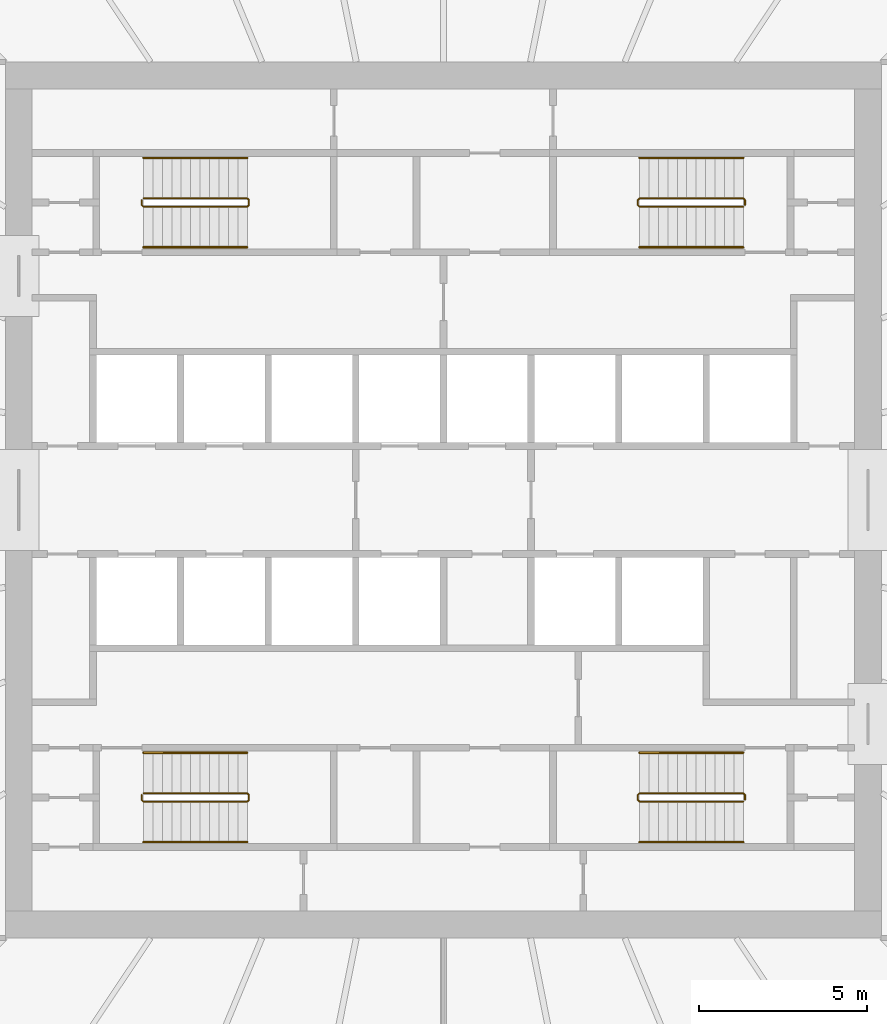
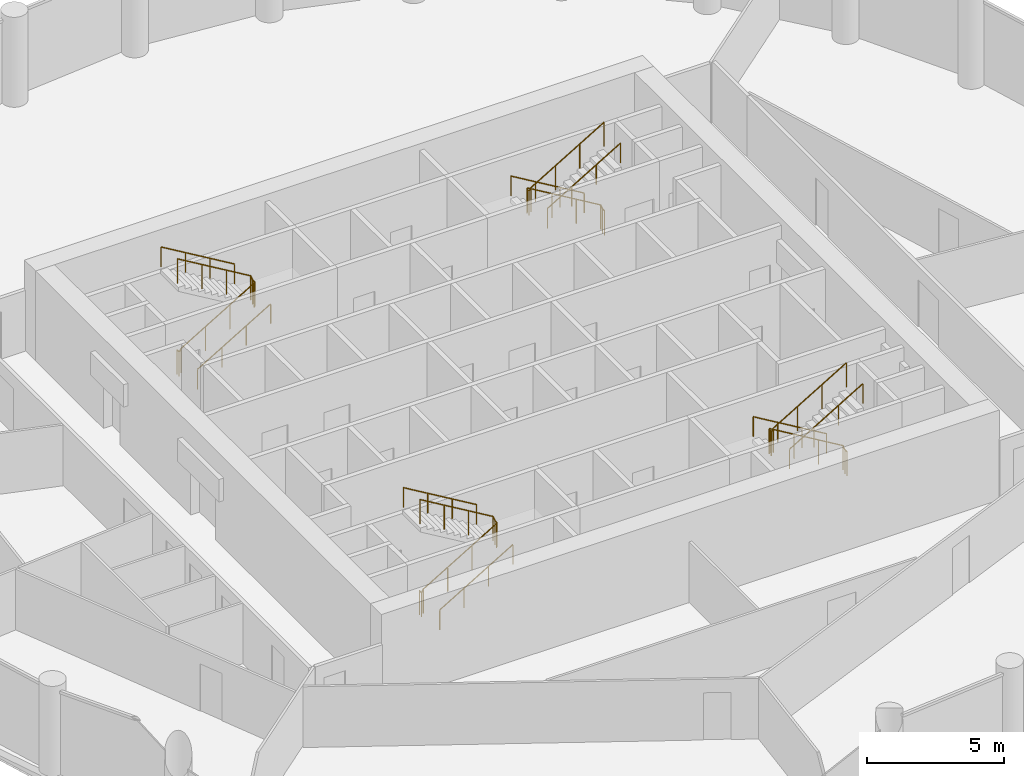
# One storey, part 9 of 9: 12 railings.
"""IFC4 building model written with IfcOpenShell, lengths in metres."""

from ifc_helpers import new_model, si_unit, direction, frame, origin, origin_2d, place, context, subcontext, project, spatial, circle, extrude, material, type_object, element, save


model = new_model("IFC4")

# Units and contexts
model_context = context("Model", 3, precision=1e-05, world=origin(), true_north=direction((0.0, 1.0)))
body_context = subcontext(model_context, "Body", "Model", "MODEL_VIEW")
ifc_project = project(units=[si_unit("LENGTHUNIT", "METRE"), si_unit("AREAUNIT", "SQUARE_METRE"), si_unit("VOLUMEUNIT", "CUBIC_METRE"), si_unit("PLANEANGLEUNIT", "RADIAN"), si_unit("MASSUNIT", "GRAM", prefix="KILO")], contexts=[model_context])

# Site, building, storey
site_placement = place(None, origin())
site = spatial("IfcSite", under=ifc_project, at=site_placement, CompositionType="ELEMENT")
building_placement = place(site_placement, origin())
building = spatial("IfcBuilding", under=site, at=building_placement, Name="Corvane Civic Tower", CompositionType="ELEMENT")
storey_placement = place(building_placement, frame((0.0, 0.0, 221.5)))
storey = spatial("IfcBuildingStorey", under=building, at=storey_placement, Name="L52", CompositionType="ELEMENT", Elevation=221.5)

# Railings
ifc_material_1 = material(Name="Steel ASTM A572 Gr 50", Category="steel")
railing_type_1 = type_object("IfcRailingType", Name="ST-GUARD-1100", PredefinedType="GUARDRAIL", material=ifc_material_1)
railing_1_placement = place(storey_placement, frame((8.949951171875, 8.75, 0.0)))
element("IfcRailing", 1, at=railing_1_placement, inside=storey, type_object=railing_type_1, Name="L52 ST1 stair guard 1", PredefinedType="GUARDRAIL", context=body_context, shape_type="SweptSolid", body=[
    extrude(circle(Radius=0.02392578125, at=origin_2d()), frame((0.0, 0.0, 1.076171875), z_axis=(0.0, 1.0, 0.0), x_axis=(-1.0, 0.0, 0.0)), (0.0, 0.0, 1.0), 0.14990234375),
    extrude(circle(Radius=0.02392578125, at=origin_2d()), frame((0.0, 0.14990234375, 1.076171875), z_axis=(-0.27628659633, 0.27628659633, 0.920506074601), x_axis=(-0.707106781187, -0.707106781187, 0.0)), (0.0, 0.0, 1.0), 0.18115234375),
    extrude(circle(Radius=0.02392578125, at=origin_2d()), frame((-0.050048828125, 0.199951171875, 1.24267578125), z_axis=(-0.859290745958, 0.0, 0.51148745235), x_axis=(0.0, -1.0, 0.0)), (0.0, 0.0, 1.0), 3.584228515625),
    extrude(circle(Radius=0.02392578125, at=origin_2d()), frame((-3.1298828125, 0.199951171875, 3.076171875), z_axis=(-0.707106781187, -0.707106781187, 0.0), x_axis=(0.707106781187, -0.707106781187, 0.0)), (0.0, 0.0, 1.0), 0.07080078125),
    extrude(circle(Radius=0.02392578125, at=origin_2d()), frame((-3.179931640625, 0.14990234375, 3.076171875), z_axis=(0.0, -1.0, 0.0), x_axis=(1.0, 0.0, 0.0)), (0.0, 0.0, 1.0), 0.14990234375),
    extrude(circle(Radius=0.02392578125, at=origin_2d()), frame((-3.179931640625, 0.0, 3.076171875), z_axis=(0.27628659633, -0.27628659633, 0.920506074601), x_axis=(0.707106781187, 0.707106781187, 0.0)), (0.0, 0.0, 1.0), 0.18115234375),
    extrude(circle(Radius=0.02392578125, at=origin_2d()), frame((-3.1298828125, -0.050048828125, 3.24267578125), z_axis=(0.859290745958, 0.0, 0.51148745235), x_axis=(0.0, 1.0, 0.0)), (0.0, 0.0, 1.0), 3.584228515625),
    extrude(circle(Radius=0.02099609375, at=origin_2d()), origin(), (0.0, 0.0, 1.0), 1.052001953125),
    extrude(circle(Radius=0.02099609375, at=origin_2d()), frame((0.0, 0.14990234375, 0.0)), (0.0, 0.0, 1.0), 1.052001953125),
    extrude(circle(Radius=0.02099609375, at=origin_2d()), frame((-0.050048828125, 0.199951171875, 0.166748046875)), (0.0, 0.0, 1.0), 1.052001953125),
    extrude(circle(Radius=0.02099609375, at=origin_2d()), frame((-1.07666015625, 0.199951171875, 0.77783203125)), (0.0, 0.0, 1.0), 1.052001953125),
    extrude(circle(Radius=0.02099609375, at=origin_2d()), frame((-2.103271484375, 0.199951171875, 1.388916015625)), (0.0, 0.0, 1.0), 1.052001953125),
    extrude(circle(Radius=0.02099609375, at=origin_2d()), frame((-3.1298828125, 0.199951171875, 2.0)), (0.0, 0.0, 1.0), 1.052001953125),
    extrude(circle(Radius=0.02099609375, at=origin_2d()), frame((-3.179931640625, 0.14990234375, 2.0)), (0.0, 0.0, 1.0), 1.052001953125),
    extrude(circle(Radius=0.02099609375, at=origin_2d()), frame((-3.179931640625, 0.0, 2.0)), (0.0, 0.0, 1.0), 1.052001953125),
    extrude(circle(Radius=0.02099609375, at=origin_2d()), frame((-3.1298828125, -0.050048828125, 2.166748046875)), (0.0, 0.0, 1.0), 1.052001953125),
    extrude(circle(Radius=0.02099609375, at=origin_2d()), frame((-2.103271484375, -0.050048828125, 2.77783203125)), (0.0, 0.0, 1.0), 1.052001953125),
    extrude(circle(Radius=0.02099609375, at=origin_2d()), frame((-1.07666015625, -0.050048828125, 3.388916015625)), (0.0, 0.0, 1.0), 1.052001953125),
    extrude(circle(Radius=0.02099609375, at=origin_2d()), frame((-0.050048828125, -0.050048828125, 4.0)), (0.0, 0.0, 1.0), 1.052001953125),
])
railing_2_placement = place(storey_placement, frame((8.949951171875, -8.89990234375, 0.0)))
element("IfcRailing", 2, at=railing_2_placement, inside=storey, type_object=railing_type_1, Name="L52 ST2 stair guard 1", PredefinedType="GUARDRAIL", context=body_context, shape_type="SweptSolid", body=[
    extrude(circle(Radius=0.02392578125, at=origin_2d()), frame((0.0, 0.0, 1.076171875), z_axis=(0.0, 1.0, 0.0), x_axis=(-1.0, 0.0, 0.0)), (0.0, 0.0, 1.0), 0.14990234375),
    extrude(circle(Radius=0.02392578125, at=origin_2d()), frame((0.0, 0.14990234375, 1.076171875), z_axis=(-0.27628659633, 0.27628659633, 0.920506074601), x_axis=(-0.707106781187, -0.707106781187, 0.0)), (0.0, 0.0, 1.0), 0.18115234375),
    extrude(circle(Radius=0.02392578125, at=origin_2d()), frame((-0.050048828125, 0.199951171875, 1.24267578125), z_axis=(-0.859290745958, 0.0, 0.51148745235), x_axis=(0.0, -1.0, 0.0)), (0.0, 0.0, 1.0), 3.584228515625),
    extrude(circle(Radius=0.02392578125, at=origin_2d()), frame((-3.1298828125, 0.199951171875, 3.076171875), z_axis=(-0.707106781187, -0.707106781187, 0.0), x_axis=(0.707106781187, -0.707106781187, 0.0)), (0.0, 0.0, 1.0), 0.07080078125),
    extrude(circle(Radius=0.02392578125, at=origin_2d()), frame((-3.179931640625, 0.14990234375, 3.076171875), z_axis=(0.0, -1.0, 0.0), x_axis=(1.0, 0.0, 0.0)), (0.0, 0.0, 1.0), 0.14990234375),
    extrude(circle(Radius=0.02392578125, at=origin_2d()), frame((-3.179931640625, 0.0, 3.076171875), z_axis=(0.27628659633, -0.27628659633, 0.920506074601), x_axis=(0.707106781187, 0.707106781187, 0.0)), (0.0, 0.0, 1.0), 0.18115234375),
    extrude(circle(Radius=0.02392578125, at=origin_2d()), frame((-3.1298828125, -0.050048828125, 3.24267578125), z_axis=(0.859290745958, 0.0, 0.51148745235), x_axis=(0.0, 1.0, 0.0)), (0.0, 0.0, 1.0), 3.584228515625),
    extrude(circle(Radius=0.02099609375, at=origin_2d()), origin(), (0.0, 0.0, 1.0), 1.052001953125),
    extrude(circle(Radius=0.02099609375, at=origin_2d()), frame((0.0, 0.14990234375, 0.0)), (0.0, 0.0, 1.0), 1.052001953125),
    extrude(circle(Radius=0.02099609375, at=origin_2d()), frame((-0.050048828125, 0.199951171875, 0.166748046875)), (0.0, 0.0, 1.0), 1.052001953125),
    extrude(circle(Radius=0.02099609375, at=origin_2d()), frame((-1.07666015625, 0.199951171875, 0.77783203125)), (0.0, 0.0, 1.0), 1.052001953125),
    extrude(circle(Radius=0.02099609375, at=origin_2d()), frame((-2.103271484375, 0.199951171875, 1.388916015625)), (0.0, 0.0, 1.0), 1.052001953125),
    extrude(circle(Radius=0.02099609375, at=origin_2d()), frame((-3.1298828125, 0.199951171875, 2.0)), (0.0, 0.0, 1.0), 1.052001953125),
    extrude(circle(Radius=0.02099609375, at=origin_2d()), frame((-3.179931640625, 0.14990234375, 2.0)), (0.0, 0.0, 1.0), 1.052001953125),
    extrude(circle(Radius=0.02099609375, at=origin_2d()), frame((-3.179931640625, 0.0, 2.0)), (0.0, 0.0, 1.0), 1.052001953125),
    extrude(circle(Radius=0.02099609375, at=origin_2d()), frame((-3.1298828125, -0.050048828125, 2.166748046875)), (0.0, 0.0, 1.0), 1.052001953125),
    extrude(circle(Radius=0.02099609375, at=origin_2d()), frame((-2.103271484375, -0.050048828125, 2.77783203125)), (0.0, 0.0, 1.0), 1.052001953125),
    extrude(circle(Radius=0.02099609375, at=origin_2d()), frame((-1.07666015625, -0.050048828125, 3.388916015625)), (0.0, 0.0, 1.0), 1.052001953125),
    extrude(circle(Radius=0.02099609375, at=origin_2d()), frame((-0.050048828125, -0.050048828125, 4.0)), (0.0, 0.0, 1.0), 1.052001953125),
])
railing_3_placement = place(storey_placement, frame((-8.949951171875, -8.75, 0.0)))
element("IfcRailing", 3, at=railing_3_placement, inside=storey, type_object=railing_type_1, Name="L52 ST3 stair guard 1", PredefinedType="GUARDRAIL", context=body_context, shape_type="SweptSolid", body=[
    extrude(circle(Radius=0.02392578125, at=origin_2d()), frame((0.0, 0.0, 1.076171875), z_axis=(0.0, -1.0, 0.0), x_axis=(1.0, 0.0, 0.0)), (0.0, 0.0, 1.0), 0.14990234375),
    extrude(circle(Radius=0.02392578125, at=origin_2d()), frame((0.0, -0.14990234375, 1.076171875), z_axis=(0.27628659633, -0.27628659633, 0.920506074601), x_axis=(0.707106781187, 0.707106781187, 0.0)), (0.0, 0.0, 1.0), 0.18115234375),
    extrude(circle(Radius=0.02392578125, at=origin_2d()), frame((0.050048828125, -0.199951171875, 1.24267578125), z_axis=(0.859290745958, 0.0, 0.51148745235), x_axis=(0.0, 1.0, 0.0)), (0.0, 0.0, 1.0), 3.584228515625),
    extrude(circle(Radius=0.02392578125, at=origin_2d()), frame((3.1298828125, -0.199951171875, 3.076171875), z_axis=(0.707106781187, 0.707106781187, 0.0), x_axis=(-0.707106781187, 0.707106781187, 0.0)), (0.0, 0.0, 1.0), 0.07080078125),
    extrude(circle(Radius=0.02392578125, at=origin_2d()), frame((3.179931640625, -0.14990234375, 3.076171875), z_axis=(0.0, 1.0, 0.0), x_axis=(-1.0, 0.0, 0.0)), (0.0, 0.0, 1.0), 0.14990234375),
    extrude(circle(Radius=0.02392578125, at=origin_2d()), frame((3.179931640625, 0.0, 3.076171875), z_axis=(-0.27628659633, 0.27628659633, 0.920506074601), x_axis=(-0.707106781187, -0.707106781187, 0.0)), (0.0, 0.0, 1.0), 0.18115234375),
    extrude(circle(Radius=0.02392578125, at=origin_2d()), frame((3.1298828125, 0.050048828125, 3.24267578125), z_axis=(-0.859290745958, 0.0, 0.51148745235), x_axis=(0.0, -1.0, 0.0)), (0.0, 0.0, 1.0), 3.584228515625),
    extrude(circle(Radius=0.02099609375, at=origin_2d()), origin(), (0.0, 0.0, 1.0), 1.052001953125),
    extrude(circle(Radius=0.02099609375, at=origin_2d()), frame((0.0, -0.14990234375, 0.0)), (0.0, 0.0, 1.0), 1.052001953125),
    extrude(circle(Radius=0.02099609375, at=origin_2d()), frame((0.050048828125, -0.199951171875, 0.166748046875)), (0.0, 0.0, 1.0), 1.052001953125),
    extrude(circle(Radius=0.02099609375, at=origin_2d()), frame((1.07666015625, -0.199951171875, 0.77783203125)), (0.0, 0.0, 1.0), 1.052001953125),
    extrude(circle(Radius=0.02099609375, at=origin_2d()), frame((2.103271484375, -0.199951171875, 1.388916015625)), (0.0, 0.0, 1.0), 1.052001953125),
    extrude(circle(Radius=0.02099609375, at=origin_2d()), frame((3.1298828125, -0.199951171875, 2.0)), (0.0, 0.0, 1.0), 1.052001953125),
    extrude(circle(Radius=0.02099609375, at=origin_2d()), frame((3.179931640625, -0.14990234375, 2.0)), (0.0, 0.0, 1.0), 1.052001953125),
    extrude(circle(Radius=0.02099609375, at=origin_2d()), frame((3.179931640625, 0.0, 2.0)), (0.0, 0.0, 1.0), 1.052001953125),
    extrude(circle(Radius=0.02099609375, at=origin_2d()), frame((3.1298828125, 0.050048828125, 2.166748046875)), (0.0, 0.0, 1.0), 1.052001953125),
    extrude(circle(Radius=0.02099609375, at=origin_2d()), frame((2.103271484375, 0.050048828125, 2.77783203125)), (0.0, 0.0, 1.0), 1.052001953125),
    extrude(circle(Radius=0.02099609375, at=origin_2d()), frame((1.07666015625, 0.050048828125, 3.388916015625)), (0.0, 0.0, 1.0), 1.052001953125),
    extrude(circle(Radius=0.02099609375, at=origin_2d()), frame((0.050048828125, 0.050048828125, 4.0)), (0.0, 0.0, 1.0), 1.052001953125),
])
railing_4_placement = place(storey_placement, frame((-8.949951171875, 8.89990234375, 0.0)))
element("IfcRailing", 4, at=railing_4_placement, inside=storey, type_object=railing_type_1, Name="L52 ST4 stair guard 1", PredefinedType="GUARDRAIL", context=body_context, shape_type="SweptSolid", body=[
    extrude(circle(Radius=0.02392578125, at=origin_2d()), frame((0.0, 0.0, 1.076171875), z_axis=(0.0, -1.0, 0.0), x_axis=(1.0, 0.0, 0.0)), (0.0, 0.0, 1.0), 0.14990234375),
    extrude(circle(Radius=0.02392578125, at=origin_2d()), frame((0.0, -0.14990234375, 1.076171875), z_axis=(0.27628659633, -0.27628659633, 0.920506074601), x_axis=(0.707106781187, 0.707106781187, 0.0)), (0.0, 0.0, 1.0), 0.18115234375),
    extrude(circle(Radius=0.02392578125, at=origin_2d()), frame((0.050048828125, -0.199951171875, 1.24267578125), z_axis=(0.859290745958, 0.0, 0.51148745235), x_axis=(0.0, 1.0, 0.0)), (0.0, 0.0, 1.0), 3.584228515625),
    extrude(circle(Radius=0.02392578125, at=origin_2d()), frame((3.1298828125, -0.199951171875, 3.076171875), z_axis=(0.707106781187, 0.707106781187, 0.0), x_axis=(-0.707106781187, 0.707106781187, 0.0)), (0.0, 0.0, 1.0), 0.07080078125),
    extrude(circle(Radius=0.02392578125, at=origin_2d()), frame((3.179931640625, -0.14990234375, 3.076171875), z_axis=(0.0, 1.0, 0.0), x_axis=(-1.0, 0.0, 0.0)), (0.0, 0.0, 1.0), 0.14990234375),
    extrude(circle(Radius=0.02392578125, at=origin_2d()), frame((3.179931640625, 0.0, 3.076171875), z_axis=(-0.27628659633, 0.27628659633, 0.920506074601), x_axis=(-0.707106781187, -0.707106781187, 0.0)), (0.0, 0.0, 1.0), 0.18115234375),
    extrude(circle(Radius=0.02392578125, at=origin_2d()), frame((3.1298828125, 0.050048828125, 3.24267578125), z_axis=(-0.859290745958, 0.0, 0.51148745235), x_axis=(0.0, -1.0, 0.0)), (0.0, 0.0, 1.0), 3.584228515625),
    extrude(circle(Radius=0.02099609375, at=origin_2d()), origin(), (0.0, 0.0, 1.0), 1.052001953125),
    extrude(circle(Radius=0.02099609375, at=origin_2d()), frame((0.0, -0.14990234375, 0.0)), (0.0, 0.0, 1.0), 1.052001953125),
    extrude(circle(Radius=0.02099609375, at=origin_2d()), frame((0.050048828125, -0.199951171875, 0.166748046875)), (0.0, 0.0, 1.0), 1.052001953125),
    extrude(circle(Radius=0.02099609375, at=origin_2d()), frame((1.07666015625, -0.199951171875, 0.77783203125)), (0.0, 0.0, 1.0), 1.052001953125),
    extrude(circle(Radius=0.02099609375, at=origin_2d()), frame((2.103271484375, -0.199951171875, 1.388916015625)), (0.0, 0.0, 1.0), 1.052001953125),
    extrude(circle(Radius=0.02099609375, at=origin_2d()), frame((3.1298828125, -0.199951171875, 2.0)), (0.0, 0.0, 1.0), 1.052001953125),
    extrude(circle(Radius=0.02099609375, at=origin_2d()), frame((3.179931640625, -0.14990234375, 2.0)), (0.0, 0.0, 1.0), 1.052001953125),
    extrude(circle(Radius=0.02099609375, at=origin_2d()), frame((3.179931640625, 0.0, 2.0)), (0.0, 0.0, 1.0), 1.052001953125),
    extrude(circle(Radius=0.02099609375, at=origin_2d()), frame((3.1298828125, 0.050048828125, 2.166748046875)), (0.0, 0.0, 1.0), 1.052001953125),
    extrude(circle(Radius=0.02099609375, at=origin_2d()), frame((2.103271484375, 0.050048828125, 2.77783203125)), (0.0, 0.0, 1.0), 1.052001953125),
    extrude(circle(Radius=0.02099609375, at=origin_2d()), frame((1.07666015625, 0.050048828125, 3.388916015625)), (0.0, 0.0, 1.0), 1.052001953125),
    extrude(circle(Radius=0.02099609375, at=origin_2d()), frame((0.050048828125, 0.050048828125, 4.0)), (0.0, 0.0, 1.0), 1.052001953125),
])
ifc_material_2 = material(Name="Steel ASTM A572 Gr 50", Category="steel")
railing_type_2 = type_object("IfcRailingType", Name="ST-HANDRAIL-900", PredefinedType="HANDRAIL", material=ifc_material_2)
railing_5_placement = place(storey_placement, frame((8.89990234375, 10.14990234375, 0.166748046875)))
element("IfcRailing", 5, at=railing_5_placement, inside=storey, type_object=railing_type_2, Name="L52 ST1 stair handrail 1", PredefinedType="HANDRAIL", context=body_context, shape_type="SweptSolid", body=[
    extrude(circle(Radius=0.02392578125, at=origin_2d()), frame((0.0, 0.0, 0.8759765625), z_axis=(-0.859290745958, 0.0, 0.51148745235), x_axis=(0.0, -1.0, 0.0)), (0.0, 0.0, 1.0), 3.584228515625),
    extrude(circle(Radius=0.02099609375, at=origin_2d()), origin(), (0.0, 0.0, 1.0), 0.851806640625),
    extrude(circle(Radius=0.02099609375, at=origin_2d()), frame((-1.026611328125, 0.0, 0.611083984375)), (0.0, 0.0, 1.0), 0.851806640625),
    extrude(circle(Radius=0.02099609375, at=origin_2d()), frame((-2.05322265625, 0.0, 1.22216796875)), (0.0, 0.0, 1.0), 0.851806640625),
    extrude(circle(Radius=0.02099609375, at=origin_2d()), frame((-3.079833984375, 0.0, 1.833251953125)), (0.0, 0.0, 1.0), 0.851806640625),
])
railing_6_placement = place(storey_placement, frame((5.820068359375, 7.5, 2.166748046875)))
element("IfcRailing", 6, at=railing_6_placement, inside=storey, type_object=railing_type_2, Name="L52 ST1 stair handrail 2", PredefinedType="HANDRAIL", context=body_context, shape_type="SweptSolid", body=[
    extrude(circle(Radius=0.02392578125, at=origin_2d()), frame((0.0, 0.0, 0.8759765625), z_axis=(0.859290745958, 0.0, 0.51148745235), x_axis=(0.0, 1.0, 0.0)), (0.0, 0.0, 1.0), 3.584228515625),
    extrude(circle(Radius=0.02099609375, at=origin_2d()), origin(), (0.0, 0.0, 1.0), 0.851806640625),
    extrude(circle(Radius=0.02099609375, at=origin_2d()), frame((1.026611328125, 0.0, 0.611083984375)), (0.0, 0.0, 1.0), 0.851806640625),
    extrude(circle(Radius=0.02099609375, at=origin_2d()), frame((2.05322265625, 0.0, 1.22216796875)), (0.0, 0.0, 1.0), 0.851806640625),
    extrude(circle(Radius=0.02099609375, at=origin_2d()), frame((3.079833984375, 0.0, 1.833251953125)), (0.0, 0.0, 1.0), 0.851806640625),
])
railing_7_placement = place(storey_placement, frame((8.89990234375, -7.5, 0.166748046875)))
element("IfcRailing", 7, at=railing_7_placement, inside=storey, type_object=railing_type_2, Name="L52 ST2 stair handrail 1", PredefinedType="HANDRAIL", context=body_context, shape_type="SweptSolid", body=[
    extrude(circle(Radius=0.02392578125, at=origin_2d()), frame((0.0, 0.0, 0.8759765625), z_axis=(-0.859290745958, 0.0, 0.51148745235), x_axis=(0.0, -1.0, 0.0)), (0.0, 0.0, 1.0), 3.584228515625),
    extrude(circle(Radius=0.02099609375, at=origin_2d()), origin(), (0.0, 0.0, 1.0), 0.851806640625),
    extrude(circle(Radius=0.02099609375, at=origin_2d()), frame((-1.026611328125, 0.0, 0.611083984375)), (0.0, 0.0, 1.0), 0.851806640625),
    extrude(circle(Radius=0.02099609375, at=origin_2d()), frame((-2.05322265625, 0.0, 1.22216796875)), (0.0, 0.0, 1.0), 0.851806640625),
    extrude(circle(Radius=0.02099609375, at=origin_2d()), frame((-3.079833984375, 0.0, 1.833251953125)), (0.0, 0.0, 1.0), 0.851806640625),
])
for number, where, name in (
    (8, (5.820068359375, -10.14990234375, 2.166748046875), "L52 ST2 stair handrail 2"),
    (9, (-8.89990234375, -10.14990234375, 0.166748046875), "L52 ST3 stair handrail 1"),
):
    element("IfcRailing", number, at=place(storey_placement, frame(where)), inside=storey, type_object=railing_type_2, Name=name, PredefinedType="HANDRAIL", context=body_context, shape_type="SweptSolid", body=[
        extrude(circle(Radius=0.02392578125, at=origin_2d()), frame((0.0, 0.0, 0.8759765625), z_axis=(0.859290745958, 0.0, 0.51148745235), x_axis=(0.0, 1.0, 0.0)), (0.0, 0.0, 1.0), 3.584228515625),
        extrude(circle(Radius=0.02099609375, at=origin_2d()), origin(), (0.0, 0.0, 1.0), 0.851806640625),
        extrude(circle(Radius=0.02099609375, at=origin_2d()), frame((1.026611328125, 0.0, 0.611083984375)), (0.0, 0.0, 1.0), 0.851806640625),
        extrude(circle(Radius=0.02099609375, at=origin_2d()), frame((2.05322265625, 0.0, 1.22216796875)), (0.0, 0.0, 1.0), 0.851806640625),
        extrude(circle(Radius=0.02099609375, at=origin_2d()), frame((3.079833984375, 0.0, 1.833251953125)), (0.0, 0.0, 1.0), 0.851806640625),
    ])
railing_8_placement = place(storey_placement, frame((-5.820068359375, -7.5, 2.166748046875)))
element("IfcRailing", 10, at=railing_8_placement, inside=storey, type_object=railing_type_2, Name="L52 ST3 stair handrail 2", PredefinedType="HANDRAIL", context=body_context, shape_type="SweptSolid", body=[
    extrude(circle(Radius=0.02392578125, at=origin_2d()), frame((0.0, 0.0, 0.8759765625), z_axis=(-0.859290745958, 0.0, 0.51148745235), x_axis=(0.0, -1.0, 0.0)), (0.0, 0.0, 1.0), 3.584228515625),
    extrude(circle(Radius=0.02099609375, at=origin_2d()), origin(), (0.0, 0.0, 1.0), 0.851806640625),
    extrude(circle(Radius=0.02099609375, at=origin_2d()), frame((-1.026611328125, 0.0, 0.611083984375)), (0.0, 0.0, 1.0), 0.851806640625),
    extrude(circle(Radius=0.02099609375, at=origin_2d()), frame((-2.05322265625, 0.0, 1.22216796875)), (0.0, 0.0, 1.0), 0.851806640625),
    extrude(circle(Radius=0.02099609375, at=origin_2d()), frame((-3.079833984375, 0.0, 1.833251953125)), (0.0, 0.0, 1.0), 0.851806640625),
])
railing_9_placement = place(storey_placement, frame((-8.89990234375, 7.5, 0.166748046875)))
element("IfcRailing", 11, at=railing_9_placement, inside=storey, type_object=railing_type_2, Name="L52 ST4 stair handrail 1", PredefinedType="HANDRAIL", context=body_context, shape_type="SweptSolid", body=[
    extrude(circle(Radius=0.02392578125, at=origin_2d()), frame((0.0, 0.0, 0.8759765625), z_axis=(0.859290745958, 0.0, 0.51148745235), x_axis=(0.0, 1.0, 0.0)), (0.0, 0.0, 1.0), 3.584228515625),
    extrude(circle(Radius=0.02099609375, at=origin_2d()), origin(), (0.0, 0.0, 1.0), 0.851806640625),
    extrude(circle(Radius=0.02099609375, at=origin_2d()), frame((1.026611328125, 0.0, 0.611083984375)), (0.0, 0.0, 1.0), 0.851806640625),
    extrude(circle(Radius=0.02099609375, at=origin_2d()), frame((2.05322265625, 0.0, 1.22216796875)), (0.0, 0.0, 1.0), 0.851806640625),
    extrude(circle(Radius=0.02099609375, at=origin_2d()), frame((3.079833984375, 0.0, 1.833251953125)), (0.0, 0.0, 1.0), 0.851806640625),
])
railing_10_placement = place(storey_placement, frame((-5.820068359375, 10.14990234375, 2.166748046875)))
element("IfcRailing", 12, at=railing_10_placement, inside=storey, type_object=railing_type_2, Name="L52 ST4 stair handrail 2", PredefinedType="HANDRAIL", context=body_context, shape_type="SweptSolid", body=[
    extrude(circle(Radius=0.02392578125, at=origin_2d()), frame((0.0, 0.0, 0.8759765625), z_axis=(-0.859290745958, 0.0, 0.51148745235), x_axis=(0.0, -1.0, 0.0)), (0.0, 0.0, 1.0), 3.584228515625),
    extrude(circle(Radius=0.02099609375, at=origin_2d()), origin(), (0.0, 0.0, 1.0), 0.851806640625),
    extrude(circle(Radius=0.02099609375, at=origin_2d()), frame((-1.026611328125, 0.0, 0.611083984375)), (0.0, 0.0, 1.0), 0.851806640625),
    extrude(circle(Radius=0.02099609375, at=origin_2d()), frame((-2.05322265625, 0.0, 1.22216796875)), (0.0, 0.0, 1.0), 0.851806640625),
    extrude(circle(Radius=0.02099609375, at=origin_2d()), frame((-3.079833984375, 0.0, 1.833251953125)), (0.0, 0.0, 1.0), 0.851806640625),
])

save(model, "model.ifc")
